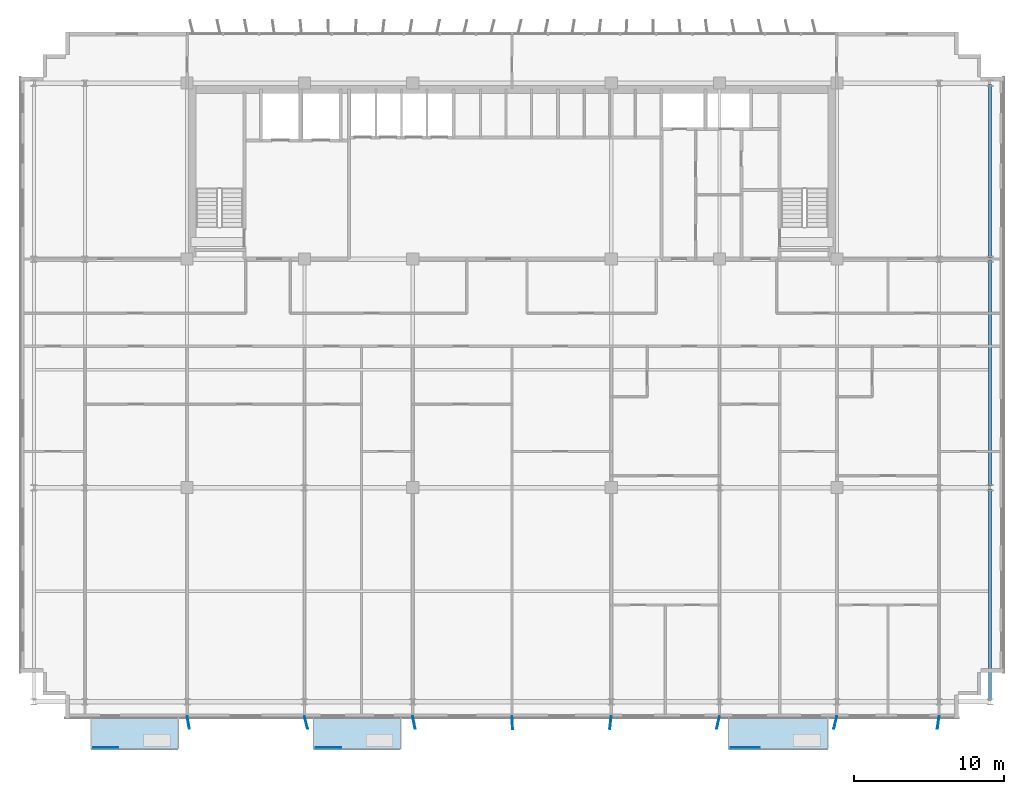
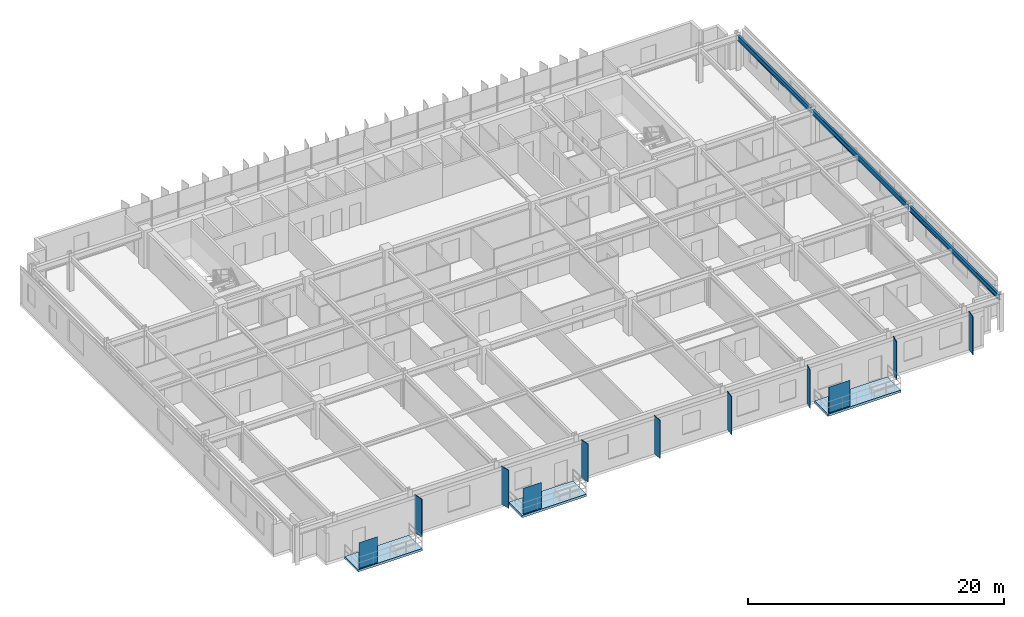
# One storey, part 12 of 21: 11 plates, 3 beams, 3 slabs.
"""IFC4 building model written with IfcOpenShell, lengths in metres."""

from ifc_helpers import new_model, si_unit, direction, frame, origin, origin_2d, place, context, subcontext, project, spatial, polyline, rectangle, i_section, outline, extrude, source, transform, mapped, material, layer, layer_set, material_profile, profile_set, type_object, element, save


model = new_model("IFC4")

# Units and contexts
model_context = context("Model", 3, precision=1e-05, world=origin(), true_north=direction((0.0, 1.0)))
body_context = subcontext(model_context, "Body", "Model", "MODEL_VIEW")
ifc_project = project(units=[si_unit("LENGTHUNIT", "METRE"), si_unit("AREAUNIT", "SQUARE_METRE"), si_unit("VOLUMEUNIT", "CUBIC_METRE"), si_unit("PLANEANGLEUNIT", "RADIAN"), si_unit("MASSUNIT", "GRAM", prefix="KILO")], contexts=[model_context])

# Site, building, storey
site_placement = place(None, origin())
site = spatial("IfcSite", under=ifc_project, at=site_placement, CompositionType="ELEMENT")
building_placement = place(site_placement, origin())
building = spatial("IfcBuilding", under=site, at=building_placement, Name="Trelvane Seafront Commons", CompositionType="ELEMENT")
storey_placement = place(building_placement, frame((0.0, 0.0, 106.89990234375)))
storey = spatial("IfcBuildingStorey", under=building, at=storey_placement, Name="L27", CompositionType="ELEMENT", Elevation=106.89990234375)

# Beams
ifc_material_1 = material(Name="Steel SM355 (S355)", Category="steel")
ifc_material_profile = material_profile(ifc_material_1, i_section(OverallWidth=0.199951171875, OverallDepth=0.5, WebThickness=0.010009765625, FlangeThickness=0.01611328125, at=origin_2d()), Name="H-500x200x10x16")
ifc_profile_set = profile_set([ifc_material_profile], Name="Steel SM355 (S355)")
beam_type = type_object("IfcBeamType", Name="STR-BM-H500", PredefinedType="BEAM", material=ifc_profile_set)
shared_shape_1 = source(origin(), body_context, "Body", "SweptSolid", [
    extrude(i_section(OverallWidth=0.199951171875, OverallDepth=0.5, WebThickness=0.010009765625, FlangeThickness=0.01611328125, at=origin_2d()), origin(), (0.0, 0.0, 1.0), 14.050048828125),
])
beam_1_placement = place(storey_placement, frame((69.0, 4.050048828125, 3.090087890625), z_axis=(0.0, 1.0, 0.0), x_axis=(-1.0, 0.0, 0.0)))
element("IfcBeam", 1, at=beam_1_placement, inside=storey, type_object=beam_type, Name="L27 Primary Girder G-64", PredefinedType="BEAM", context=body_context, shape_type="MappedRepresentation", body=[
    mapped(shared_shape_1, transform((0.0, 0.0, 0.0), x_axis=(1.0, 0.0, 0.0), y_axis=(0.0, 1.0, 0.0), z_axis=(0.0, 0.0, 1.0), scale=1.0)),
])
shared_shape_2 = source(origin(), body_context, "Body", "SweptSolid", [
    extrude(i_section(OverallWidth=0.199951171875, OverallDepth=0.5, WebThickness=0.010009765625, FlangeThickness=0.01611328125, at=origin_2d()), origin(), (0.0, 0.0, 1.0), 15.0),
])
beam_2_placement = place(storey_placement, frame((69.0, 18.300048828125, 3.090087890625), z_axis=(0.0, 1.0, 0.0), x_axis=(-1.0, 0.0, 0.0)))
element("IfcBeam", 2, at=beam_2_placement, inside=storey, type_object=beam_type, Name="L27 Primary Girder G-65", PredefinedType="BEAM", context=body_context, shape_type="MappedRepresentation", body=[
    mapped(shared_shape_2, transform((0.0, 0.0, 0.0), x_axis=(1.0, 0.0, 0.0), y_axis=(0.0, 1.0, 0.0), z_axis=(0.0, 0.0, 1.0), scale=1.0)),
])
shared_shape_3 = source(origin(), body_context, "Body", "SweptSolid", [
    extrude(i_section(OverallWidth=0.199951171875, OverallDepth=0.5, WebThickness=0.010009765625, FlangeThickness=0.01611328125, at=origin_2d()), origin(), (0.0, 0.0, 1.0), 11.5),
])
beam_3_placement = place(storey_placement, frame((69.0, 33.5, 3.090087890625), z_axis=(0.0, 1.0, 0.0), x_axis=(-1.0, 0.0, 0.0)))
element("IfcBeam", 3, at=beam_3_placement, inside=storey, type_object=beam_type, Name="L27 Primary Girder G-66", PredefinedType="BEAM", context=body_context, shape_type="MappedRepresentation", body=[
    mapped(shared_shape_3, transform((0.0, 0.0, 0.0), x_axis=(1.0, 0.0, 0.0), y_axis=(0.0, 1.0, 0.0), z_axis=(0.0, 0.0, 1.0), scale=1.0)),
])

# Slabs
ifc_material_2 = material(Name="Concrete C40/50", Category="concrete")
ifc_layer_1 = layer(ifc_material_2, 0.219970703125, Name="ARCH-BALC-220")
ifc_layer_set_1 = layer_set([ifc_layer_1], Name="Concrete C40/50")
slab_type = type_object("IfcSlabType", Name="ARCH-BALC-220", PredefinedType="FLOOR", material=ifc_layer_set_1)
slab_1_placement = place(storey_placement, frame((0.0, 0.0, -0.219970703125)))
element("IfcSlab", 4, at=slab_1_placement, inside=storey, type_object=slab_type, Name="L27 Cantilevered Tree Balcony Loggia 1", PredefinedType="FLOOR", context=body_context, shape_type="SweptSolid", body=[
    extrude(outline(polyline([(9.199951171875, 0.800048828125), (15.0, 0.800048828125), (15.0, 2.89990234375), (9.199951171875, 2.89990234375), (9.199951171875, 0.800048828125)])), origin(), (0.0, 0.0, 1.0), 0.219970703125),
])
slab_2_placement = place(storey_placement, frame((0.0, 0.0, -0.219970703125)))
element("IfcSlab", 5, at=slab_2_placement, inside=storey, type_object=slab_type, Name="L27 Cantilevered Tree Balcony Loggia 2", PredefinedType="FLOOR", context=body_context, shape_type="SweptSolid", body=[
    extrude(outline(polyline([(24.0, 0.800048828125), (29.800048828125, 0.800048828125), (29.800048828125, 2.89990234375), (24.0, 2.89990234375), (24.0, 0.800048828125)])), origin(), (0.0, 0.0, 1.0), 0.219970703125),
])
slab_3_placement = place(storey_placement, frame((0.0, 0.0, -0.219970703125)))
element("IfcSlab", 6, at=slab_3_placement, inside=storey, type_object=slab_type, Name="L27 Cantilevered Tree Balcony Loggia 3", PredefinedType="FLOOR", context=body_context, shape_type="SweptSolid", body=[
    extrude(outline(polyline([(51.60009765625, 0.800048828125), (58.199951171875, 0.800048828125), (58.199951171875, 2.89990234375), (51.60009765625, 2.89990234375), (51.60009765625, 0.800048828125)])), origin(), (0.0, 0.0, 1.0), 0.219970703125),
])

# Plates
ifc_material_3 = material(Name="Perforated anodised aluminium screen", Category="aluminium")
ifc_layer_2 = layer(ifc_material_3, 0.01611328125, Name="ARCH-PLATE-SCREEN")
ifc_layer_set_2 = layer_set([ifc_layer_2], Name="Perforated anodised aluminium screen")
plate_type_1 = type_object("IfcPlateType", Name="ARCH-PLATE-SCREEN", PredefinedType="USERDEFINED", material=ifc_layer_set_2)
shared_shape_4 = source(origin(), body_context, "Body", "SweptSolid", [
    extrude(rectangle(XDim=1.9140625, YDim=0.01611328125, at=origin_2d()), origin(), (0.0, 0.0, 1.0), 2.449951171875),
])
plate_placement = place(storey_placement, frame((52.70703125, 0.919921875, 0.0), z_axis=(0.0, 0.0, 1.0), x_axis=(1.0, 0.0, 0.0)))
element("IfcPlate", 7, at=plate_placement, inside=storey, type_object=plate_type_1, Name="SCR-L27-00101", ObjectType="SCREEN", PredefinedType="USERDEFINED", context=body_context, shape_type="MappedRepresentation", body=[
    mapped(shared_shape_4, transform((0.0, 0.0, 0.0), x_axis=(1.0, 0.0, 0.0), y_axis=(0.0, 1.0, 0.0), z_axis=(0.0, 0.0, 1.0), scale=1.0)),
])
shared_shape_5 = source(origin(), body_context, "Body", "SweptSolid", [
    extrude(rectangle(XDim=1.681884765625, YDim=0.01611328125, at=origin_2d()), origin(), (0.0, 0.0, 1.0), 2.449951171875),
])
for number, where, z_axis, x_axis, name in (
    (8, (10.19091796875, 0.919921875, 0.0), (0.0, 0.0, 1.0), (1.0, 0.0, 0.0), "SCR-L27-00099"),
    (9, (24.990966796875, 0.919921875, 0.0), (0.0, 0.0, 1.0), (1.0, 0.0, 0.0), "SCR-L27-00100"),
):
    element("IfcPlate", number, at=place(storey_placement, frame(where, z_axis=z_axis, x_axis=x_axis)), inside=storey, type_object=plate_type_1, Name=name, ObjectType="SCREEN", PredefinedType="USERDEFINED", context=body_context, shape_type="MappedRepresentation", body=[
        mapped(shared_shape_5, transform((0.0, 0.0, 0.0), x_axis=(1.0, 0.0, 0.0), y_axis=(0.0, 1.0, 0.0), z_axis=(0.0, 0.0, 1.0), scale=1.0)),
    ])
ifc_material_4 = material(Name="Anodised pale-silver aluminium", Category="aluminium")
ifc_layer_3 = layer(ifc_material_4, 0.06005859375, Name="ARCH-PLATE-FIN900")
ifc_layer_set_3 = layer_set([ifc_layer_3], Name="Anodised pale-silver aluminium")
plate_type_2 = type_object("IfcPlateType", Name="ARCH-PLATE-FIN900", PredefinedType="USERDEFINED", material=ifc_layer_set_3)
shared_shape_6 = source(origin(), body_context, "Body", "SweptSolid", [
    extrude(rectangle(XDim=0.85009765625, YDim=0.06005859375, at=origin_2d()), origin(), (0.0, 0.0, 1.0), 3.639892578125),
])
for number, where, z_axis, x_axis, name in (
    (10, (15.676025390625, 2.581787109375, -0.02001953125), (0.0, 0.0, 1.0), (0.17893787248, -0.983860375151, 0.0), "FIN-S-L27-00706"),
    (11, (23.502685546875, 2.587646484375, -0.02001953125), (0.0, 0.0, 1.0), (0.241649234884, -0.970363667539, 0.0), "FIN-S-L27-00707"),
    (12, (30.681884765625, 2.5830078125, -0.02001953125), (0.0, 0.0, 1.0), (0.192359259395, -0.981324571854, 0.0), "FIN-S-L27-00708"),
    (13, (37.22216796875, 2.575439453125, -0.02001953125), (0.0, 0.0, 1.0), (0.051879301204, -0.998653362337, 0.0), "FIN-S-L27-00709"),
    (14, (43.751708984375, 2.57763671875, -0.02001953125), (0.0, 0.0, 1.0), (-0.113877756425, -0.993494769282, 0.0), "FIN-S-L27-00710"),
    (15, (50.904541015625, 2.585693359375, -0.02001953125), (0.0, 0.0, 1.0), (-0.224583709507, -0.974454800093, 0.0), "FIN-S-L27-00711"),
    (16, (58.7021484375, 2.58642578125, -0.02001953125), (0.0, 0.0, 1.0), (-0.230226379223, -0.973137099442, 0.0), "FIN-S-L27-00712"),
    (17, (65.54541015625, 2.57861328125, -0.02001953125), (0.0, 0.0, 1.0), (-0.128463277156, -0.991714266522, 0.0), "FIN-S-L27-00713"),
):
    element("IfcPlate", number, at=place(storey_placement, frame(where, z_axis=z_axis, x_axis=x_axis)), inside=storey, type_object=plate_type_2, Name=name, ObjectType="FIN", PredefinedType="USERDEFINED", context=body_context, shape_type="MappedRepresentation", body=[
        mapped(shared_shape_6, transform((0.0, 0.0, 0.0), x_axis=(1.0, 0.0, 0.0), y_axis=(0.0, 1.0, 0.0), z_axis=(0.0, 0.0, 1.0), scale=1.0)),
    ])

save(model, "model.ifc")
